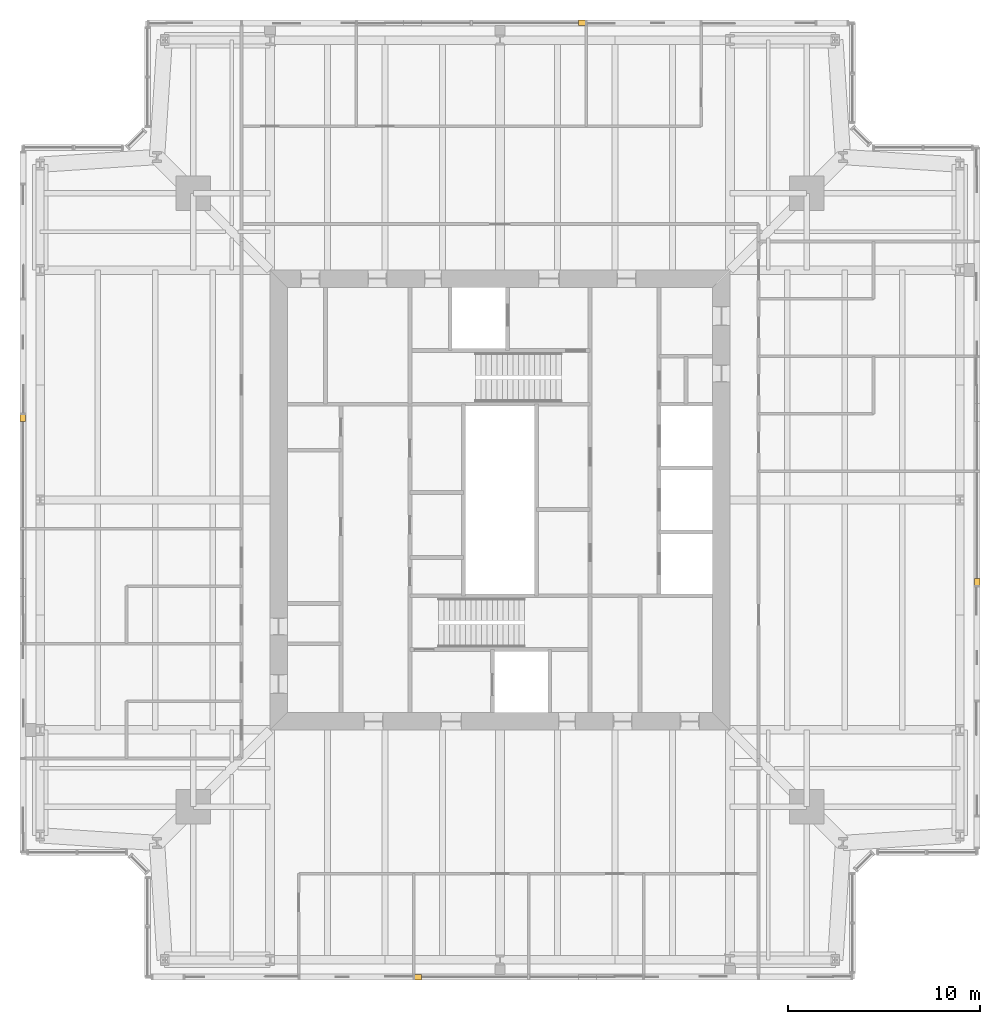
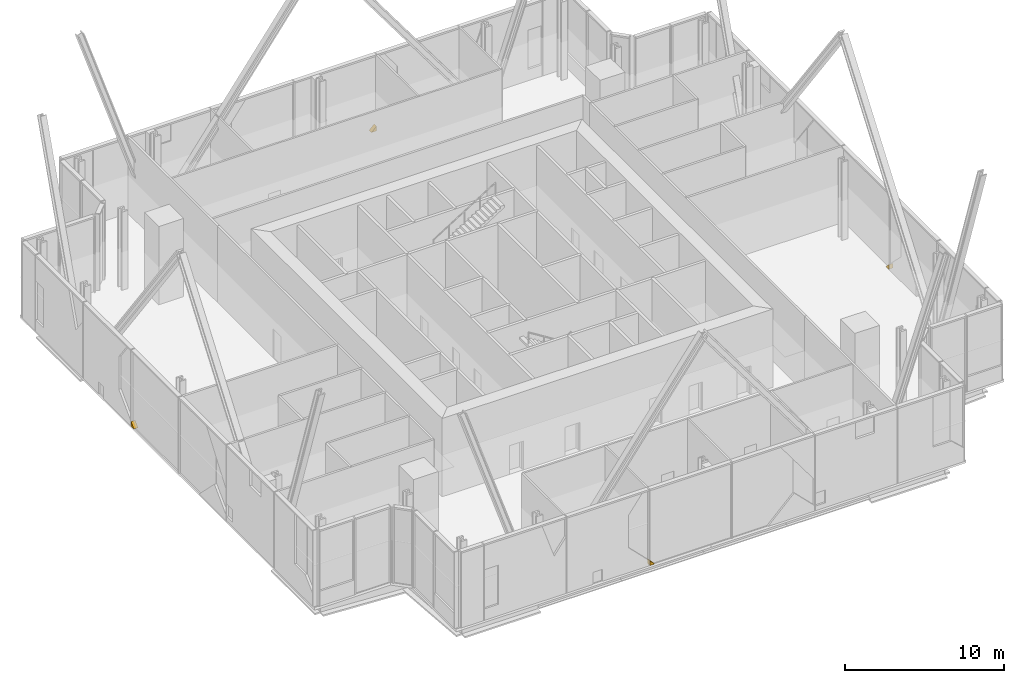
# One storey, part 20 of 20: 4 coverings.
"""IFC4 building model written with IfcOpenShell, lengths in metres."""

from ifc_helpers import new_model, si_unit, direction, frame, origin, place, context, subcontext, project, spatial, polyline, outline, extrude, material, layer, layer_set, type_object, element, save


model = new_model("IFC4")

# Units and contexts
model_context = context("Model", 3, precision=1e-05, world=origin(), true_north=direction((0.0, 1.0)))
body_context = subcontext(model_context, "Body", "Model", "MODEL_VIEW")
ifc_project = project(units=[si_unit("LENGTHUNIT", "METRE"), si_unit("AREAUNIT", "SQUARE_METRE"), si_unit("VOLUMEUNIT", "CUBIC_METRE"), si_unit("PLANEANGLEUNIT", "RADIAN"), si_unit("MASSUNIT", "GRAM", prefix="KILO")], contexts=[model_context])

# Site, building, storey
site_placement = place(None, origin())
site = spatial("IfcSite", under=ifc_project, at=site_placement, CompositionType="ELEMENT")
building_placement = place(site_placement, origin())
building = spatial("IfcBuilding", under=site, at=building_placement, Name="Fenwick Lantern Interchange", CompositionType="ELEMENT")
storey_placement = place(building_placement, frame((0.0, 0.0, 239.800048828125)))
storey = spatial("IfcBuildingStorey", under=building, at=storey_placement, Name="L56", CompositionType="ELEMENT", Elevation=239.800048828125)

# Coverings
ifc_material = material(Name="Granite cladding, warm grey flamed finish, on aluminium carrier frame", Category="masonry")
ifc_layer = layer(ifc_material, 0.300048828125)
ifc_layer_set = layer_set([ifc_layer], Name="BRACE CASING PANEL 300")
covering_type = type_object("IfcCoveringType", Name="BRACE CASING PANEL 300", PredefinedType="CLADDING", material=ifc_layer_set)
for number, where, z_axis, x_axis, name in (
    (1, (6.60009765625, 0.10009765625, 0.0), (0.0, 0.0, 1.0), (1.0, 0.0, 0.0), "Brace casing 01 bay 03a"),
    (2, (49.89990234375, 6.60009765625, 0.0), (0.0, 0.0, 1.0), (0.0, 1.0, 0.0), "Brace casing 05 bay 03a"),
    (3, (43.39990234375, 49.89990234375, 0.0), (0.0, 0.0, 1.0), (-1.0, 0.0, 0.0), "Brace casing 09 bay 03a"),
    (4, (0.10009765625, 43.39990234375, 0.0), (0.0, 0.0, 1.0), (0.0, -1.0, 0.0), "Brace casing 13 bay 03a"),
):
    element("IfcCovering", number, at=place(storey_placement, frame(where, z_axis=z_axis, x_axis=x_axis)), inside=storey, type_object=covering_type, Name=name, PredefinedType="CLADDING", context=body_context, shape_type="SweptSolid", body=[
        extrude(outline(polyline([(13.93994140625, 0.0), (14.295654296875, 0.0), (13.93994140625, 0.35546875), (13.93994140625, 0.0)])), frame((0.0, 0.14990234375, 0.0), z_axis=(0.0, -1.0, 0.0), x_axis=(1.0, 0.0, 0.0)), (0.0, 0.0, 1.0), 0.300048828125),
    ])

save(model, "model.ifc")
